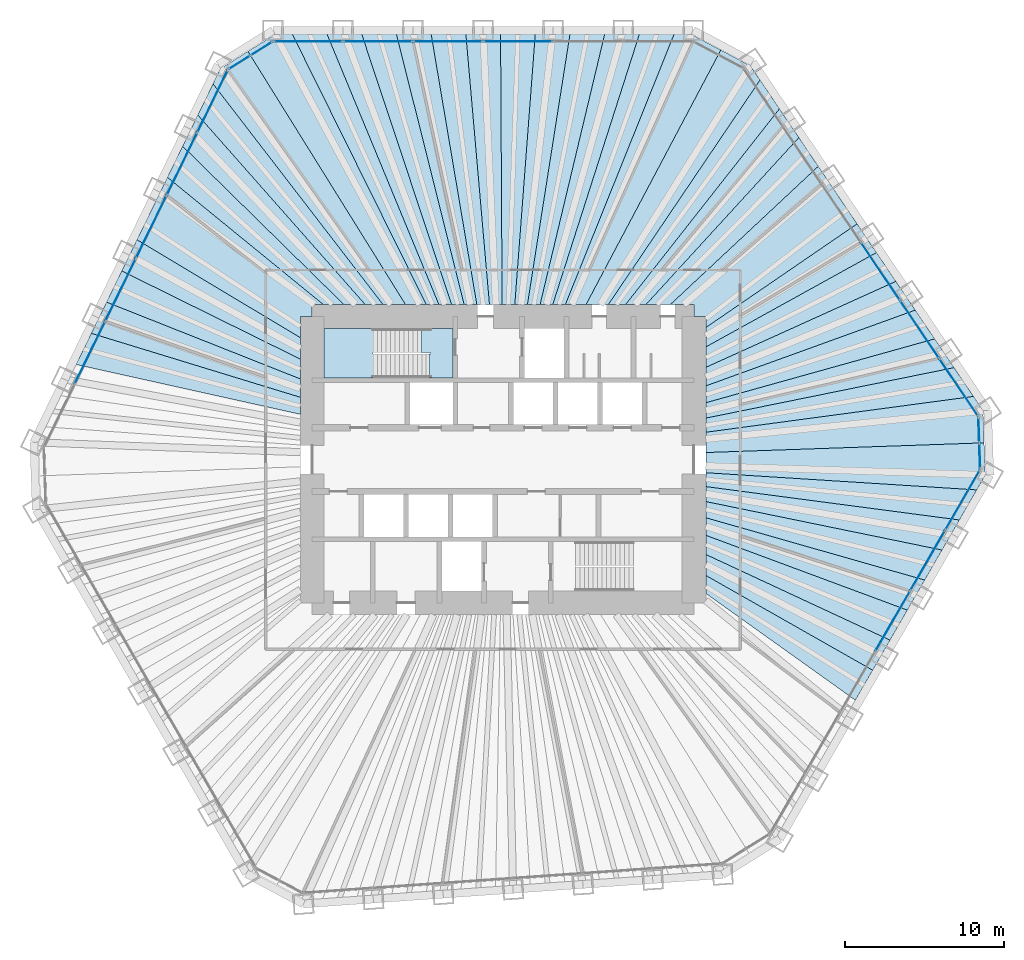
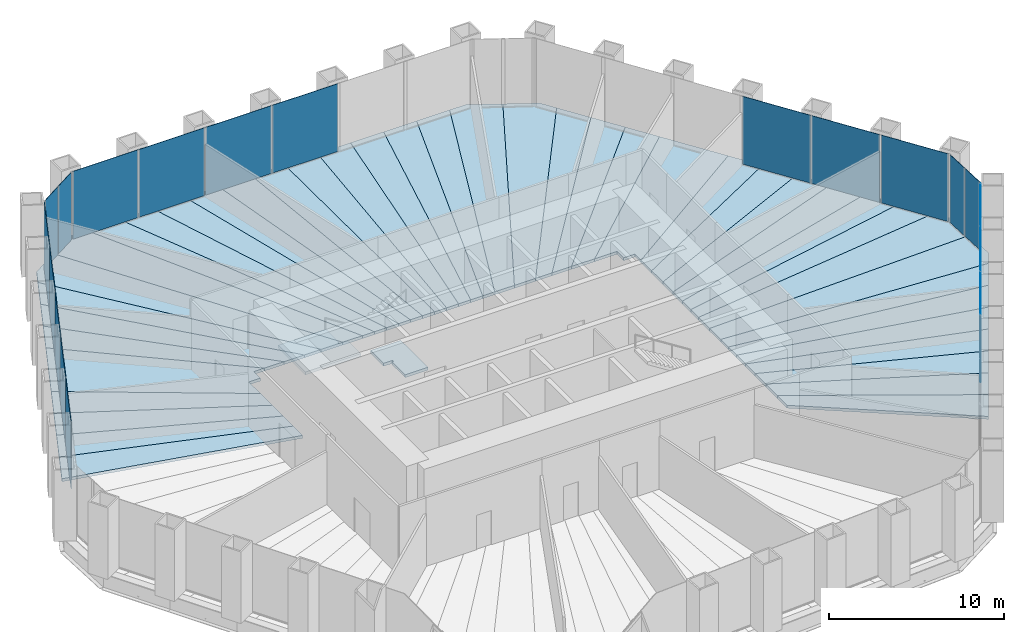
# One storey, part 9 of 14: 44 slabs, 19 plates, 7 elements without a shape of their own.
"""IFC4 building model written with IfcOpenShell, lengths in metres."""

import ifcopenshell
import ifcopenshell.guid

model = None  # the IFC model being written
_history = None  # IfcOwnerHistory: only IFC2X3 demands one
_inside = {}  # id of a spatial element -> (the spatial element, [elements in it])
_under = {}  # id of a project, library or spatial element -> (it, [spatial elements below it])
_declared = {}  # id of a project -> (the project, [libraries it declares])
_typed = {}  # id of a type object -> (the type object, [elements of that type])
_made_of = {}  # id of a material, layer set ... -> (it, [elements and type objects made of it])


def new_model(schema):
    """Start an empty IFC model of exactly this schema.

    Asked for "IFC4X3", IfcOpenShell would pick the latest addendum, in which some entities
    have other attributes; the version numbers below select the first issue.
    IFC2X3 requires an IfcOwnerHistory on every rooted entity: one is made here for all.
    """
    global model, _history
    if schema == "IFC4X3":
        model = ifcopenshell.file(schema_version=(4, 3, 0, 0))
    else:
        model = ifcopenshell.file(schema=schema)
    _inside.clear()
    _under.clear()
    _declared.clear()
    _typed.clear()
    _made_of.clear()
    _history = None
    if model.schema == "IFC2X3":
        org = make("IfcOrganization", Name="unknown")
        user = make(
            "IfcPersonAndOrganization",
            ThePerson=make("IfcPerson", FamilyName="unknown"),
            TheOrganization=org,
        )
        app = make(
            "IfcApplication",
            ApplicationDeveloper=org,
            Version="unknown",
            ApplicationFullName="unknown",
            ApplicationIdentifier="unknown",
        )
        _history = make(
            "IfcOwnerHistory",
            OwningUser=user,
            OwningApplication=app,
            ChangeAction="ADDED",
            CreationDate=0,
        )
    return model


def make(cls, **values):
    """One entity of the class cls with the attributes given. An attribute that is None is left unset."""
    return model.create_entity(
        cls, **{name: value for name, value in values.items() if value is not None}
    )


def rooted(cls, **values):
    """An entity with a GlobalId (a new one), such as an element, a storey or a relation."""
    return make(cls, GlobalId=ifcopenshell.guid.new(), OwnerHistory=_history, **values)


def si_unit(unit_type, name, prefix=None):
    """IfcSIUnit, for example si_unit("LENGTHUNIT", "METRE", prefix="MILLI")."""
    return make("IfcSIUnit", UnitType=unit_type, Prefix=prefix, Name=name)


def assignment(units):
    """IfcUnitAssignment: the units of a project."""
    return None if units is None else make("IfcUnitAssignment", Units=units)


def point(xyz):
    """IfcCartesianPoint."""
    return None if xyz is None else make("IfcCartesianPoint", Coordinates=xyz)


def direction(xyz):
    """IfcDirection."""
    return None if xyz is None else make("IfcDirection", DirectionRatios=xyz)


def frame(location, z_axis=None, x_axis=None):
    """IfcAxis2Placement3D, a coordinate frame: its origin and axes. An axis left out is left unset."""
    return make(
        "IfcAxis2Placement3D",
        Location=point(location),
        Axis=direction(z_axis),
        RefDirection=direction(x_axis),
    )


def frame_2d(location, x_axis=None):
    """IfcAxis2Placement2D, a coordinate frame in the plane: its origin and x axis."""
    return make(
        "IfcAxis2Placement2D", Location=point(location), RefDirection=direction(x_axis)
    )


def origin():
    """The frame at (0, 0, 0) with its axes left unset."""
    return frame((0.0, 0.0, 0.0))


def origin_2d():
    """The frame at (0, 0) in the plane with its x axis left unset."""
    return frame_2d((0.0, 0.0))


def place(relative_to, where):
    """IfcLocalPlacement: puts the frame where relative to a parent placement (None: the world)."""
    return make(
        "IfcLocalPlacement", PlacementRelTo=relative_to, RelativePlacement=where
    )


def context(
    kind, dimensions, precision=None, world=None, true_north=None, identifier=None
):
    """IfcGeometricRepresentationContext, for example the 3D "Model" context."""
    return make(
        "IfcGeometricRepresentationContext",
        ContextIdentifier=identifier,
        ContextType=kind,
        CoordinateSpaceDimension=dimensions,
        Precision=precision,
        WorldCoordinateSystem=world,
        TrueNorth=true_north,
    )


def subcontext(parent, identifier, kind, view, scale=None):
    """IfcGeometricRepresentationSubContext, for example "Body" below "Model"."""
    return make(
        "IfcGeometricRepresentationSubContext",
        ContextIdentifier=identifier,
        ContextType=kind,
        ParentContext=parent,
        TargetScale=scale,
        TargetView=view,
    )


def project(units=None, contexts=None):
    """IfcProject with its units and contexts."""
    return rooted(
        "IfcProject",
        Name="project",
        RepresentationContexts=contexts,
        UnitsInContext=assignment(units),
    )


def spatial(cls, under=None, at=None, **own):
    """A site, building, storey or space (cls), placed at a placement, below another one or the project."""
    s = rooted(cls, ObjectPlacement=at, **own)
    if under is not None:
        _under.setdefault(under.id(), (under, []))[1].append(s)
    return s


def polyline(points):
    """IfcPolyline through the points."""
    return make("IfcPolyline", Points=[point(p) for p in points])


def profile(cls, at=None, kind="AREA", **sizes):
    """A parametric profile (cls). Its sizes go by their IFC names, for example OverallWidth=200.0."""
    return make(cls, ProfileType=kind, Position=at, **sizes)


def rectangle(**sizes):
    """IfcRectangleProfileDef."""
    return profile("IfcRectangleProfileDef", **sizes)


def outline(outer, holes=None, kind="AREA"):
    """IfcArbitraryClosedProfileDef: a profile drawn as a closed curve; with holes, ...WithVoids."""
    if holes is None:
        return make("IfcArbitraryClosedProfileDef", ProfileType=kind, OuterCurve=outer)
    return make(
        "IfcArbitraryProfileDefWithVoids",
        ProfileType=kind,
        OuterCurve=outer,
        InnerCurves=holes,
    )


def extrude(swept, where, along, depth):
    """IfcExtrudedAreaSolid: the profile swept, set in the frame where, extruded along a direction by depth."""
    return make(
        "IfcExtrudedAreaSolid",
        SweptArea=swept,
        Position=where,
        ExtrudedDirection=direction(along),
        Depth=depth,
    )


def shape(context_of_items, identifier, shape_type, items):
    """IfcShapeRepresentation: the items that make up one representation, for example the "Body"."""
    return make(
        "IfcShapeRepresentation",
        ContextOfItems=context_of_items,
        RepresentationIdentifier=identifier,
        RepresentationType=shape_type,
        Items=items,
    )


def material(Name=None, Category=None):
    """IfcMaterial."""
    return make("IfcMaterial", Name=Name, Category=Category)


def layer(
    of_material, thickness, ventilated=None, Name=None, Category=None, Priority=None
):
    """IfcMaterialLayer: one layer of a wall or slab, of a material (None: an air gap)."""
    return make(
        "IfcMaterialLayer",
        Material=of_material,
        LayerThickness=thickness,
        IsVentilated=ventilated,
        Name=Name,
        Category=Category,
        Priority=Priority,
    )


def layer_set(layers, Name=None):
    """IfcMaterialLayerSet."""
    return make("IfcMaterialLayerSet", MaterialLayers=layers, LayerSetName=Name)


def made_of(thing, what):
    """Note that an element or type object is made of a material, layer set ...; save() writes the relation."""
    if what is not None:
        _made_of.setdefault(what.id(), (what, []))[1].append(thing)
    return thing


def type_object(cls, material=None, **own):
    """A type object (cls), such as IfcWallType, which elements share."""
    return made_of(rooted(cls, **own), material)


def element(
    cls,
    number,
    at=None,
    inside=None,
    cuts=None,
    type_object=None,
    material=None,
    context=None,
    identifier="Body",
    shape_type=None,
    held_by="IfcProductDefinitionShape",
    body=None,
    shapes=None,
    **own,
):
    """One element of the class cls, such as IfcWall. Its Tag is "e" and its number.

    at: its placement. inside: the storey or other place that contains it. cuts: it is an
    opening in that element (IfcRelVoidsElement). A single representation is given by context,
    identifier, shape_type and body (its items); several are given by shapes. held_by: the class
    of the entity that holds the representations. save() writes the other relations.
    """
    e = rooted(cls, Tag="e%d" % number, ObjectPlacement=at, **own)
    if body is not None:
        shapes = [shape(context, identifier, shape_type, body)]
    if shapes is not None:
        e.Representation = make(held_by, Representations=shapes)
    if inside is not None:
        _inside.setdefault(inside.id(), (inside, []))[1].append(e)
    if cuts is not None:
        rooted(
            "IfcRelVoidsElement", RelatingBuildingElement=cuts, RelatedOpeningElement=e
        )
    if type_object is not None:
        _typed.setdefault(type_object.id(), (type_object, []))[1].append(e)
    return made_of(e, material)


def aggregate(whole, parts):
    """IfcRelAggregates: a whole, such as a stair, and the parts it consists of."""
    return rooted("IfcRelAggregates", RelatingObject=whole, RelatedObjects=parts)


def save(model, path):
    """Write the relations noted so far, then the file.

    IfcRelAggregates (storeys below a building ...), IfcRelContainedInSpatialStructure (elements
    in a storey), IfcRelDefinesByType, IfcRelAssociatesMaterial and IfcRelDeclares: one each for
    every whole, place, type object, material and project.
    """
    for whole, parts in _under.values():
        aggregate(whole, parts)
    for where, things in _inside.values():
        rooted(
            "IfcRelContainedInSpatialStructure",
            RelatedElements=things,
            RelatingStructure=where,
        )
    for kind, things in _typed.values():
        rooted("IfcRelDefinesByType", RelatedObjects=things, RelatingType=kind)
    for what, things in _made_of.values():
        rooted("IfcRelAssociatesMaterial", RelatedObjects=things, RelatingMaterial=what)
    for by, libraries in _declared.values():
        rooted("IfcRelDeclares", RelatingContext=by, RelatedDefinitions=libraries)
    model.write(path)


model = new_model("IFC4")

# Units and contexts
model_context = context("Model", 3, precision=1e-05, world=origin(), true_north=direction((0.0, 1.0)))
body_context = subcontext(model_context, "Body", "Model", "MODEL_VIEW")
ifc_project = project(units=[si_unit("LENGTHUNIT", "METRE"), si_unit("AREAUNIT", "SQUARE_METRE"), si_unit("VOLUMEUNIT", "CUBIC_METRE"), si_unit("PLANEANGLEUNIT", "RADIAN"), si_unit("MASSUNIT", "GRAM", prefix="KILO")], contexts=[model_context])

# Site, building, storey
site_placement = place(None, origin())
site = spatial("IfcSite", under=ifc_project, at=site_placement, CompositionType="ELEMENT")
building_placement = place(site_placement, origin())
building = spatial("IfcBuilding", under=site, at=building_placement, Name="Qingtian Harvest Tower", CompositionType="ELEMENT")
storey_placement = place(building_placement, frame((0.0, 0.0, 82.0)))
storey = spatial("IfcBuildingStorey", under=building, at=storey_placement, Name="L16", CompositionType="ELEMENT", Elevation=82.0)

# Slabs
ifc_material_1 = material(Name="Concrete fc' 35 MPa", Category="concrete")
ifc_layer_1 = layer(ifc_material_1, 0.199951171875)
ifc_layer_set_1 = layer_set([ifc_layer_1], Name="Composite floor slab FS20 200")
slab_type_1 = type_object("IfcSlabType", Name="Composite floor slab FS20 200", PredefinedType="FLOOR", material=ifc_layer_set_1)
slab_1_placement = place(storey_placement, frame((0.0, 0.0, -0.199951171875)))
element("IfcSlab", 1, at=slab_1_placement, inside=storey, type_object=slab_type_1, Name="Floor slab L16 panel D32", PredefinedType="FLOOR", context=body_context, shape_type="SweptSolid", body=[
    extrude(outline(polyline([(12.75, -7.279052734375), (23.247802734375, -13.243408203125), (22.159423828125, -15.128662109375), (12.75, -8.4091796875), (12.75, -7.279052734375)])), origin(), (0.0, 0.0, 1.0), 0.199951171875),
])
slab_2_placement = place(storey_placement, frame((0.0, 0.0, -0.199951171875)))
element("IfcSlab", 2, at=slab_2_placement, inside=storey, type_object=slab_type_1, Name="Floor slab L16 panel D33", PredefinedType="FLOOR", context=body_context, shape_type="SweptSolid", body=[
    extrude(outline(polyline([(12.75, -5.96142578125), (24.339111328125, -11.353515625), (23.247802734375, -13.243408203125), (12.75, -7.279052734375), (12.75, -5.96142578125)])), origin(), (0.0, 0.0, 1.0), 0.199951171875),
])
slab_3_placement = place(storey_placement, frame((0.0, 0.0, -0.199951171875)))
element("IfcSlab", 3, at=slab_3_placement, inside=storey, type_object=slab_type_1, Name="Floor slab L16 panel D34", PredefinedType="FLOOR", context=body_context, shape_type="SweptSolid", body=[
    extrude(outline(polyline([(12.75, -4.757080078125), (25.43017578125, -9.46337890625), (24.339111328125, -11.353515625), (12.75, -5.96142578125), (12.75, -4.757080078125)])), origin(), (0.0, 0.0, 1.0), 0.199951171875),
])
slab_4_placement = place(storey_placement, frame((0.0, 0.0, -0.199951171875)))
element("IfcSlab", 4, at=slab_4_placement, inside=storey, type_object=slab_type_1, Name="Floor slab L16 panel D35", PredefinedType="FLOOR", context=body_context, shape_type="SweptSolid", body=[
    extrude(outline(polyline([(12.75, -3.651611328125), (26.521484375, -7.573486328125), (25.43017578125, -9.46337890625), (12.75, -4.757080078125), (12.75, -3.651611328125)])), origin(), (0.0, 0.0, 1.0), 0.199951171875),
])
slab_5_placement = place(storey_placement, frame((0.0, 0.0, -0.199951171875)))
element("IfcSlab", 5, at=slab_5_placement, inside=storey, type_object=slab_type_1, Name="Floor slab L16 panel D36", PredefinedType="FLOOR", context=body_context, shape_type="SweptSolid", body=[
    extrude(outline(polyline([(12.75, -2.634033203125), (27.612548828125, -5.68359375), (26.521484375, -7.573486328125), (12.75, -3.651611328125), (12.75, -2.634033203125)])), origin(), (0.0, 0.0, 1.0), 0.199951171875),
])
slab_6_placement = place(storey_placement, frame((0.0, 0.0, -0.199951171875)))
element("IfcSlab", 6, at=slab_6_placement, inside=storey, type_object=slab_type_1, Name="Floor slab L16 panel D37", PredefinedType="FLOOR", context=body_context, shape_type="SweptSolid", body=[
    extrude(outline(polyline([(12.75, -1.693603515625), (28.703857421875, -3.793701171875), (27.612548828125, -5.68359375), (12.75, -2.634033203125), (12.75, -1.693603515625)])), origin(), (0.0, 0.0, 1.0), 0.199951171875),
])
slab_7_placement = place(storey_placement, frame((0.0, 0.0, -0.199951171875)))
element("IfcSlab", 7, at=slab_7_placement, inside=storey, type_object=slab_type_1, Name="Floor slab L16 panel D38", PredefinedType="FLOOR", context=body_context, shape_type="SweptSolid", body=[
    extrude(outline(polyline([(12.75, -0.822265625), (29.794921875, -1.903564453125), (28.703857421875, -3.793701171875), (12.75, -1.693603515625), (12.75, -0.822265625)])), origin(), (0.0, 0.0, 1.0), 0.199951171875),
])
slab_8_placement = place(storey_placement, frame((0.0, 0.0, -0.199951171875)))
element("IfcSlab", 8, at=slab_8_placement, inside=storey, type_object=slab_type_1, Name="Floor slab L16 panel D39", PredefinedType="FLOOR", context=body_context, shape_type="SweptSolid", body=[
    extrude(outline(polyline([(12.75, -0.822265625), (12.75, 0.447265625), (30.2587890625, 1.056640625), (30.32958984375, -0.9775390625), (29.794921875, -1.903564453125), (12.75, -0.822265625)])), origin(), (0.0, 0.0, 1.0), 0.199951171875),
])
slab_9_placement = place(storey_placement, frame((0.0, 0.0, -0.199951171875)))
element("IfcSlab", 9, at=slab_9_placement, inside=storey, type_object=slab_type_1, Name="Floor slab L16 panel D40", PredefinedType="FLOOR", context=body_context, shape_type="SweptSolid", body=[
    extrude(outline(polyline([(12.75, 0.447265625), (12.75, 1.72265625), (29.589599609375, 3.977294921875), (30.187744140625, 3.0908203125), (30.2587890625, 1.056640625), (12.75, 0.447265625)])), origin(), (0.0, 0.0, 1.0), 0.199951171875),
])
slab_10_placement = place(storey_placement, frame((0.0, 0.0, -0.199951171875)))
element("IfcSlab", 10, at=slab_10_placement, inside=storey, type_object=slab_type_1, Name="Floor slab L16 panel D41", PredefinedType="FLOOR", context=body_context, shape_type="SweptSolid", body=[
    extrude(outline(polyline([(12.75, 2.610595703125), (28.369140625, 5.78662109375), (29.589599609375, 3.977294921875), (12.75, 1.72265625), (12.75, 2.610595703125)])), origin(), (0.0, 0.0, 1.0), 0.199951171875),
])
slab_11_placement = place(storey_placement, frame((0.0, 0.0, -0.199951171875)))
element("IfcSlab", 11, at=slab_11_placement, inside=storey, type_object=slab_type_1, Name="Floor slab L16 panel D42", PredefinedType="FLOOR", context=body_context, shape_type="SweptSolid", body=[
    extrude(outline(polyline([(12.75, 3.57861328125), (27.14892578125, 7.595947265625), (28.369140625, 5.78662109375), (12.75, 2.610595703125), (12.75, 3.57861328125)])), origin(), (0.0, 0.0, 1.0), 0.199951171875),
])
slab_12_placement = place(storey_placement, frame((0.0, 0.0, -0.199951171875)))
element("IfcSlab", 12, at=slab_12_placement, inside=storey, type_object=slab_type_1, Name="Floor slab L16 panel D43", PredefinedType="FLOOR", context=body_context, shape_type="SweptSolid", body=[
    extrude(outline(polyline([(12.75, 4.6376953125), (25.928466796875, 9.405029296875), (27.14892578125, 7.595947265625), (12.75, 3.57861328125), (12.75, 4.6376953125)])), origin(), (0.0, 0.0, 1.0), 0.199951171875),
])
slab_13_placement = place(storey_placement, frame((0.0, 0.0, -0.199951171875)))
element("IfcSlab", 13, at=slab_13_placement, inside=storey, type_object=slab_type_1, Name="Floor slab L16 panel D44", PredefinedType="FLOOR", context=body_context, shape_type="SweptSolid", body=[
    extrude(outline(polyline([(12.75, 5.8017578125), (24.708251953125, 11.21435546875), (25.928466796875, 9.405029296875), (12.75, 4.6376953125), (12.75, 5.8017578125)])), origin(), (0.0, 0.0, 1.0), 0.199951171875),
])
slab_14_placement = place(storey_placement, frame((0.0, 0.0, -0.199951171875)))
element("IfcSlab", 14, at=slab_14_placement, inside=storey, type_object=slab_type_1, Name="Floor slab L16 panel D45", PredefinedType="FLOOR", context=body_context, shape_type="SweptSolid", body=[
    extrude(outline(polyline([(12.75, 7.087158203125), (23.48779296875, 13.023681640625), (24.708251953125, 11.21435546875), (12.75, 5.8017578125), (12.75, 7.087158203125)])), origin(), (0.0, 0.0, 1.0), 0.199951171875),
])
slab_15_placement = place(storey_placement, frame((0.0, 0.0, -0.199951171875)))
element("IfcSlab", 15, at=slab_15_placement, inside=storey, type_object=slab_type_1, Name="Floor slab L16 panel D46", PredefinedType="FLOOR", context=body_context, shape_type="SweptSolid", body=[
    extrude(outline(polyline([(12.75, 8.30615234375), (22.26953125, 14.829833984375), (23.48779296875, 13.023681640625), (12.75, 7.087158203125), (12.75, 8.30615234375)])), origin(), (0.0, 0.0, 1.0), 0.199951171875),
])
slab_16_placement = place(storey_placement, frame((0.0, 0.0, -0.199951171875)))
element("IfcSlab", 16, at=slab_16_placement, inside=storey, type_object=slab_type_1, Name="Floor slab L16 panel D48", PredefinedType="FLOOR", context=body_context, shape_type="SweptSolid", body=[
    extrude(outline(polyline([(19.8271484375, 18.45068359375), (22.26953125, 14.829833984375), (12.75, 8.30615234375), (12.75, 9.0), (12.0, 9.0), (12.0, 9.75), (10.51806640625, 9.75), (19.8271484375, 18.45068359375)])), origin(), (0.0, 0.0, 1.0), 0.199951171875),
])
slab_17_placement = place(storey_placement, frame((0.0, 0.0, -0.199951171875)))
element("IfcSlab", 17, at=slab_17_placement, inside=storey, type_object=slab_type_1, Name="Floor slab L16 panel D49", PredefinedType="FLOOR", context=body_context, shape_type="SweptSolid", body=[
    extrude(outline(polyline([(8.985107421875, 9.75), (18.60693359375, 20.260009765625), (19.8271484375, 18.45068359375), (10.51806640625, 9.75), (8.985107421875, 9.75)])), origin(), (0.0, 0.0, 1.0), 0.199951171875),
])
slab_18_placement = place(storey_placement, frame((0.0, 0.0, -0.199951171875)))
element("IfcSlab", 18, at=slab_18_placement, inside=storey, type_object=slab_type_1, Name="Floor slab L16 panel D50", PredefinedType="FLOOR", context=body_context, shape_type="SweptSolid", body=[
    extrude(outline(polyline([(7.705078125, 9.75), (17.386474609375, 22.0693359375), (18.60693359375, 20.260009765625), (8.985107421875, 9.75), (7.705078125, 9.75)])), origin(), (0.0, 0.0, 1.0), 0.199951171875),
])
slab_19_placement = place(storey_placement, frame((0.0, 0.0, -0.199951171875)))
element("IfcSlab", 19, at=slab_19_placement, inside=storey, type_object=slab_type_1, Name="Floor slab L16 panel D51", PredefinedType="FLOOR", context=body_context, shape_type="SweptSolid", body=[
    extrude(outline(polyline([(6.61962890625, 9.75), (16.166015625, 23.87841796875), (17.386474609375, 22.0693359375), (7.705078125, 9.75), (6.61962890625, 9.75)])), origin(), (0.0, 0.0, 1.0), 0.199951171875),
])
slab_20_placement = place(storey_placement, frame((0.0, 0.0, -0.199951171875)))
element("IfcSlab", 20, at=slab_20_placement, inside=storey, type_object=slab_type_1, Name="Floor slab L16 panel D52", PredefinedType="FLOOR", context=body_context, shape_type="SweptSolid", body=[
    extrude(outline(polyline([(6.61962890625, 9.75), (5.21875, 9.75), (13.697265625, 25.760009765625), (15.56787109375, 24.765380859375), (16.166015625, 23.87841796875), (6.61962890625, 9.75)])), origin(), (0.0, 0.0, 1.0), 0.199951171875),
])
slab_21_placement = place(storey_placement, frame((0.0, 0.0, -0.199951171875)))
element("IfcSlab", 21, at=slab_21_placement, inside=storey, type_object=slab_type_1, Name="Floor slab L16 panel D53", PredefinedType="FLOOR", context=body_context, shape_type="SweptSolid", body=[
    extrude(outline(polyline([(3.919921875, 9.75), (10.756591796875, 26.7548828125), (11.825927734375, 26.7548828125), (13.697265625, 25.760009765625), (5.21875, 9.75), (3.919921875, 9.75)])), origin(), (0.0, 0.0, 1.0), 0.199951171875),
])
slab_22_placement = place(storey_placement, frame((0.0, 0.0, -0.199951171875)))
element("IfcSlab", 22, at=slab_22_placement, inside=storey, type_object=slab_type_1, Name="Floor slab L16 panel D54", PredefinedType="FLOOR", context=body_context, shape_type="SweptSolid", body=[
    extrude(outline(polyline([(3.12451171875, 9.75), (8.57421875, 26.7548828125), (10.756591796875, 26.7548828125), (3.919921875, 9.75), (3.12451171875, 9.75)])), origin(), (0.0, 0.0, 1.0), 0.199951171875),
])
slab_23_placement = place(storey_placement, frame((0.0, 0.0, -0.199951171875)))
element("IfcSlab", 23, at=slab_23_placement, inside=storey, type_object=slab_type_1, Name="Floor slab L16 panel D55", PredefinedType="FLOOR", context=body_context, shape_type="SweptSolid", body=[
    extrude(outline(polyline([(2.329345703125, 9.75), (6.391845703125, 26.7548828125), (8.57421875, 26.7548828125), (3.12451171875, 9.75), (2.329345703125, 9.75)])), origin(), (0.0, 0.0, 1.0), 0.199951171875),
])
slab_24_placement = place(storey_placement, frame((0.0, 0.0, -0.199951171875)))
element("IfcSlab", 24, at=slab_24_placement, inside=storey, type_object=slab_type_1, Name="Floor slab L16 panel D56", PredefinedType="FLOOR", context=body_context, shape_type="SweptSolid", body=[
    extrude(outline(polyline([(1.533935546875, 9.75), (4.20947265625, 26.7548828125), (6.391845703125, 26.7548828125), (2.329345703125, 9.75), (1.533935546875, 9.75)])), origin(), (0.0, 0.0, 1.0), 0.199951171875),
])
slab_25_placement = place(storey_placement, frame((0.0, 0.0, -0.199951171875)))
element("IfcSlab", 25, at=slab_25_placement, inside=storey, type_object=slab_type_1, Name="Floor slab L16 panel D57", PredefinedType="FLOOR", context=body_context, shape_type="SweptSolid", body=[
    extrude(outline(polyline([(0.73876953125, 9.75), (2.02734375, 26.7548828125), (4.20947265625, 26.7548828125), (1.533935546875, 9.75), (0.73876953125, 9.75)])), origin(), (0.0, 0.0, 1.0), 0.199951171875),
])
slab_26_placement = place(storey_placement, frame((0.0, 0.0, -0.199951171875)))
element("IfcSlab", 26, at=slab_26_placement, inside=storey, type_object=slab_type_1, Name="Floor slab L16 panel D58", PredefinedType="FLOOR", context=body_context, shape_type="SweptSolid", body=[
    extrude(outline(polyline([(-0.056396484375, 9.75), (-0.155029296875, 26.7548828125), (2.02734375, 26.7548828125), (0.73876953125, 9.75), (-0.056396484375, 9.75)])), origin(), (0.0, 0.0, 1.0), 0.199951171875),
])
slab_27_placement = place(storey_placement, frame((0.0, 0.0, -0.199951171875)))
element("IfcSlab", 27, at=slab_27_placement, inside=storey, type_object=slab_type_1, Name="Floor slab L16 panel D59", PredefinedType="FLOOR", context=body_context, shape_type="SweptSolid", body=[
    extrude(outline(polyline([(-0.851806640625, 9.75), (-2.33740234375, 26.7548828125), (-0.155029296875, 26.7548828125), (-0.056396484375, 9.75), (-0.851806640625, 9.75)])), origin(), (0.0, 0.0, 1.0), 0.199951171875),
])
slab_28_placement = place(storey_placement, frame((0.0, 0.0, -0.199951171875)))
element("IfcSlab", 28, at=slab_28_placement, inside=storey, type_object=slab_type_1, Name="Floor slab L16 panel D60", PredefinedType="FLOOR", context=body_context, shape_type="SweptSolid", body=[
    extrude(outline(polyline([(-1.64697265625, 9.75), (-4.519775390625, 26.7548828125), (-2.33740234375, 26.7548828125), (-0.851806640625, 9.75), (-1.64697265625, 9.75)])), origin(), (0.0, 0.0, 1.0), 0.199951171875),
])
slab_29_placement = place(storey_placement, frame((0.0, 0.0, -0.199951171875)))
element("IfcSlab", 29, at=slab_29_placement, inside=storey, type_object=slab_type_1, Name="Floor slab L16 panel D61", PredefinedType="FLOOR", context=body_context, shape_type="SweptSolid", body=[
    extrude(outline(polyline([(-2.4423828125, 9.75), (-6.7021484375, 26.7548828125), (-4.519775390625, 26.7548828125), (-1.64697265625, 9.75), (-2.4423828125, 9.75)])), origin(), (0.0, 0.0, 1.0), 0.199951171875),
])
slab_30_placement = place(storey_placement, frame((0.0, 0.0, -0.199951171875)))
element("IfcSlab", 30, at=slab_30_placement, inside=storey, type_object=slab_type_1, Name="Floor slab L16 panel D62", PredefinedType="FLOOR", context=body_context, shape_type="SweptSolid", body=[
    extrude(outline(polyline([(-3.237548828125, 9.75), (-8.88427734375, 26.7548828125), (-6.7021484375, 26.7548828125), (-2.4423828125, 9.75), (-3.237548828125, 9.75)])), origin(), (0.0, 0.0, 1.0), 0.199951171875),
])
slab_31_placement = place(storey_placement, frame((0.0, 0.0, -0.199951171875)))
element("IfcSlab", 31, at=slab_31_placement, inside=storey, type_object=slab_type_1, Name="Floor slab L16 panel D63", PredefinedType="FLOOR", context=body_context, shape_type="SweptSolid", body=[
    extrude(outline(polyline([(-4.032958984375, 9.75), (-11.066650390625, 26.7548828125), (-8.88427734375, 26.7548828125), (-3.237548828125, 9.75), (-4.032958984375, 9.75)])), origin(), (0.0, 0.0, 1.0), 0.199951171875),
])
slab_32_placement = place(storey_placement, frame((0.0, 0.0, -0.199951171875)))
element("IfcSlab", 32, at=slab_32_placement, inside=storey, type_object=slab_type_1, Name="Floor slab L16 panel D64", PredefinedType="FLOOR", context=body_context, shape_type="SweptSolid", body=[
    extrude(outline(polyline([(-4.828125, 9.75), (-13.2490234375, 26.7548828125), (-11.066650390625, 26.7548828125), (-4.032958984375, 9.75), (-4.828125, 9.75)])), origin(), (0.0, 0.0, 1.0), 0.199951171875),
])
slab_33_placement = place(storey_placement, frame((0.0, 0.0, -0.199951171875)))
element("IfcSlab", 33, at=slab_33_placement, inside=storey, type_object=slab_type_1, Name="Floor slab L16 panel D65", PredefinedType="FLOOR", context=body_context, shape_type="SweptSolid", body=[
    extrude(outline(polyline([(-4.828125, 9.75), (-6.130126953125, 9.75), (-16.044921875, 25.67626953125), (-14.318359375, 26.7548828125), (-13.2490234375, 26.7548828125), (-4.828125, 9.75)])), origin(), (0.0, 0.0, 1.0), 0.199951171875),
])
slab_34_placement = place(storey_placement, frame((0.0, 0.0, -0.199951171875)))
element("IfcSlab", 34, at=slab_34_placement, inside=storey, type_object=slab_type_1, Name="Floor slab L16 panel D66", PredefinedType="FLOOR", context=body_context, shape_type="SweptSolid", body=[
    extrude(outline(polyline([(-6.130126953125, 9.75), (-7.544677734375, 9.75), (-18.239501953125, 23.636474609375), (-17.7705078125, 24.597900390625), (-16.044921875, 25.67626953125), (-6.130126953125, 9.75)])), origin(), (0.0, 0.0, 1.0), 0.199951171875),
])
slab_35_placement = place(storey_placement, frame((0.0, 0.0, -0.199951171875)))
element("IfcSlab", 35, at=slab_35_placement, inside=storey, type_object=slab_type_1, Name="Floor slab L16 panel D67", PredefinedType="FLOOR", context=body_context, shape_type="SweptSolid", body=[
    extrude(outline(polyline([(-8.662109375, 9.75), (-19.196044921875, 21.675048828125), (-18.239501953125, 23.636474609375), (-7.544677734375, 9.75), (-8.662109375, 9.75)])), origin(), (0.0, 0.0, 1.0), 0.199951171875),
])
slab_36_placement = place(storey_placement, frame((0.0, 0.0, -0.199951171875)))
element("IfcSlab", 36, at=slab_36_placement, inside=storey, type_object=slab_type_1, Name="Floor slab L16 panel D68", PredefinedType="FLOOR", context=body_context, shape_type="SweptSolid", body=[
    extrude(outline(polyline([(-10.00341796875, 9.75), (-20.15283203125, 19.71337890625), (-19.196044921875, 21.675048828125), (-8.662109375, 9.75), (-10.00341796875, 9.75)])), origin(), (0.0, 0.0, 1.0), 0.199951171875),
])
slab_37_placement = place(storey_placement, frame((0.0, 0.0, -0.199951171875)))
element("IfcSlab", 37, at=slab_37_placement, inside=storey, type_object=slab_type_1, Name="Floor slab L16 panel D69", PredefinedType="FLOOR", context=body_context, shape_type="SweptSolid", body=[
    extrude(outline(polyline([(-11.2939453125, 9.75), (-21.107666015625, 17.755859375), (-20.15283203125, 19.71337890625), (-10.00341796875, 9.75), (-11.2939453125, 9.75)])), origin(), (0.0, 0.0, 1.0), 0.199951171875),
])
slab_38_placement = place(storey_placement, frame((0.0, 0.0, -0.199951171875)))
element("IfcSlab", 38, at=slab_38_placement, inside=storey, type_object=slab_type_1, Name="Floor slab L16 panel D70", PredefinedType="FLOOR", context=body_context, shape_type="SweptSolid", body=[
    extrude(outline(polyline([(-12.0, 9.0), (-12.75, 9.0), (-12.75, 7.67333984375), (-23.0224609375, 13.82958984375), (-21.107666015625, 17.755859375), (-11.2939453125, 9.75), (-12.0, 9.75), (-12.0, 9.0)])), origin(), (0.0, 0.0, 1.0), 0.199951171875),
])
slab_39_placement = place(storey_placement, frame((0.0, 0.0, -0.199951171875)))
element("IfcSlab", 39, at=slab_39_placement, inside=storey, type_object=slab_type_1, Name="Floor slab L16 panel D72", PredefinedType="FLOOR", context=body_context, shape_type="SweptSolid", body=[
    extrude(outline(polyline([(-12.75, 6.3232421875), (-23.979248046875, 11.8681640625), (-23.0224609375, 13.82958984375), (-12.75, 7.67333984375), (-12.75, 6.3232421875)])), origin(), (0.0, 0.0, 1.0), 0.199951171875),
])
slab_40_placement = place(storey_placement, frame((0.0, 0.0, -0.199951171875)))
element("IfcSlab", 40, at=slab_40_placement, inside=storey, type_object=slab_type_1, Name="Floor slab L16 panel D73", PredefinedType="FLOOR", context=body_context, shape_type="SweptSolid", body=[
    extrude(outline(polyline([(-12.75, 5.076904296875), (-24.935791015625, 9.90673828125), (-23.979248046875, 11.8681640625), (-12.75, 6.3232421875), (-12.75, 5.076904296875)])), origin(), (0.0, 0.0, 1.0), 0.199951171875),
])
slab_41_placement = place(storey_placement, frame((0.0, 0.0, -0.199951171875)))
element("IfcSlab", 41, at=slab_41_placement, inside=storey, type_object=slab_type_1, Name="Floor slab L16 panel D74", PredefinedType="FLOOR", context=body_context, shape_type="SweptSolid", body=[
    extrude(outline(polyline([(-12.75, 3.922607421875), (-25.892578125, 7.9453125), (-24.935791015625, 9.90673828125), (-12.75, 5.076904296875), (-12.75, 3.922607421875)])), origin(), (0.0, 0.0, 1.0), 0.199951171875),
])
slab_42_placement = place(storey_placement, frame((0.0, 0.0, -0.199951171875)))
element("IfcSlab", 42, at=slab_42_placement, inside=storey, type_object=slab_type_1, Name="Floor slab L16 panel D75", PredefinedType="FLOOR", context=body_context, shape_type="SweptSolid", body=[
    extrude(outline(polyline([(-12.75, 2.8505859375), (-26.84912109375, 5.98388671875), (-25.892578125, 7.9453125), (-12.75, 3.922607421875), (-12.75, 2.8505859375)])), origin(), (0.0, 0.0, 1.0), 0.199951171875),
])

# Curtain wall, plates
ifc_material_2 = material(Name="Bronze-anodised aluminium curtain wall", Category="aluminium")
curtain_wall_type = type_object("IfcCurtainWallType", Name="Curtain wall CW2 farm reception", PredefinedType="USERDEFINED", material=ifc_material_2)
curtain_wall_1_placement = place(storey_placement, origin())
curtain_wall_1 = element("IfcCurtainWall", 43, at=curtain_wall_1_placement, inside=storey, type_object=curtain_wall_type, Name="Curtain wall CW2 L16 N0-5", ObjectType="RECESSED CURTAIN WALL", PredefinedType="USERDEFINED")
ifc_material_3 = material(Name="Bronze-tinted laminated insulating glass", Category="glass")
ifc_layer_2 = layer(ifc_material_3, 0.030029296875)
ifc_layer_set_2 = layer_set([ifc_layer_2], Name="Glazed panel CWP tinted IGU")
plate_type = type_object("IfcPlateType", Name="Glazed panel CWP tinted IGU", PredefinedType="CURTAIN_PANEL", material=ifc_layer_set_2)
plate_1_placement = place(storey_placement, frame((-12.2529296875, 26.300048828125, 0.06494140625), z_axis=(0.0, 0.0, 1.0), x_axis=(1.0, 0.0, 0.0)))
plate_1 = element("IfcPlate", 44, at=plate_1_placement, type_object=plate_type, Name="CW2 panel 1.1", PredefinedType="CURTAIN_PANEL", context=body_context, shape_type="SweptSolid", body=[
    extrude(rectangle(XDim=4.30712890625, YDim=0.030029296875, at=origin_2d()), origin(), (0.0, 0.0, 1.0), 4.735107421875),
])
plate_2_placement = place(storey_placement, frame((-7.864501953125, 26.300048828125, 0.06494140625), z_axis=(0.0, 0.0, 1.0), x_axis=(1.0, 0.0, 0.0)))
plate_2 = element("IfcPlate", 45, at=plate_2_placement, type_object=plate_type, Name="CW2 panel 2.1", PredefinedType="CURTAIN_PANEL", context=body_context, shape_type="SweptSolid", body=[
    extrude(rectangle(XDim=4.339599609375, YDim=0.030029296875, at=origin_2d()), origin(), (0.0, 0.0, 1.0), 4.735107421875),
])
plate_3_placement = place(storey_placement, frame((-3.4599609375, 26.300048828125, 0.06494140625), z_axis=(0.0, 0.0, 1.0), x_axis=(1.0, 0.0, 0.0)))
plate_3 = element("IfcPlate", 46, at=plate_3_placement, type_object=plate_type, Name="CW2 panel 3.1", PredefinedType="CURTAIN_PANEL", context=body_context, shape_type="SweptSolid", body=[
    extrude(rectangle(XDim=4.339599609375, YDim=0.030029296875, at=origin_2d()), origin(), (0.0, 0.0, 1.0), 4.735107421875),
])
plate_4_placement = place(storey_placement, frame((0.944580078125, 26.300048828125, 0.06494140625), z_axis=(0.0, 0.0, 1.0), x_axis=(1.0, 0.0, 0.0)))
plate_4 = element("IfcPlate", 47, at=plate_4_placement, type_object=plate_type, Name="CW2 panel 4.1", PredefinedType="CURTAIN_PANEL", context=body_context, shape_type="SweptSolid", body=[
    extrude(rectangle(XDim=4.339599609375, YDim=0.030029296875, at=origin_2d()), origin(), (0.0, 0.0, 1.0), 4.735107421875),
])
aggregate(curtain_wall_1, [plate_1, plate_2, plate_3, plate_4])

curtain_wall_2_placement = place(storey_placement, origin())
curtain_wall_2 = element("IfcCurtainWall", 48, at=curtain_wall_2_placement, inside=storey, type_object=curtain_wall_type, Name="Curtain wall CW2 L16 NE0-5", ObjectType="RECESSED CURTAIN WALL", PredefinedType="USERDEFINED")
plate_5_placement = place(storey_placement, frame((23.738525390625, 11.83837890625, 0.06494140625), z_axis=(0.0, 0.0, 1.0), x_axis=(0.559192903471, -0.829037572555, 0.0)))
plate_5 = element("IfcPlate", 49, at=plate_5_placement, type_object=plate_type, Name="CW2 panel 4.1", PredefinedType="CURTAIN_PANEL", context=body_context, shape_type="SweptSolid", body=[
    extrude(rectangle(XDim=4.339599609375, YDim=0.030029296875, at=origin_2d()), origin(), (0.0, 0.0, 1.0), 4.735107421875),
])
plate_6_placement = place(storey_placement, frame((26.201416015625, 8.186767578125, 0.06494140625), z_axis=(0.0, 0.0, 1.0), x_axis=(0.559192903471, -0.829037572555, 0.0)))
plate_6 = element("IfcPlate", 50, at=plate_6_placement, type_object=plate_type, Name="CW2 panel 5.1", PredefinedType="CURTAIN_PANEL", context=body_context, shape_type="SweptSolid", body=[
    extrude(rectangle(XDim=4.339599609375, YDim=0.030029296875, at=origin_2d()), origin(), (0.0, 0.0, 1.0), 4.735107421875),
])
plate_7_placement = place(storey_placement, frame((28.655517578125, 4.548583984375, 0.06494140625), z_axis=(0.0, 0.0, 1.0), x_axis=(0.559192903471, -0.829037572555, 0.0)))
plate_7 = element("IfcPlate", 51, at=plate_7_placement, type_object=plate_type, Name="CW2 panel 6.1", PredefinedType="CURTAIN_PANEL", context=body_context, shape_type="SweptSolid", body=[
    extrude(rectangle(XDim=4.30712890625, YDim=0.030029296875, at=origin_2d()), origin(), (0.0, 0.0, 1.0), 4.735107421875),
])
aggregate(curtain_wall_2, [plate_5, plate_6, plate_7])

curtain_wall_3_placement = place(storey_placement, origin())
curtain_wall_3 = element("IfcCurtainWall", 52, at=curtain_wall_3_placement, inside=storey, type_object=curtain_wall_type, Name="Curtain wall CW2 L16 NEC", ObjectType="RECESSED CURTAIN WALL", PredefinedType="USERDEFINED")
plate_8_placement = place(storey_placement, frame((29.925537109375, 1.861572265625, 0.06494140625), z_axis=(0.0, 0.0, 1.0), x_axis=(0.034899496703, -0.999390827019, 0.0)))
plate_8 = element("IfcPlate", 53, at=plate_8_placement, type_object=plate_type, Name="CW2 panel 1.1", PredefinedType="CURTAIN_PANEL", context=body_context, shape_type="SweptSolid", body=[
    extrude(rectangle(XDim=1.56689453125, YDim=0.030029296875, at=origin_2d()), origin(), (0.0, 0.0, 1.0), 4.735107421875),
])
plate_9_placement = place(storey_placement, frame((29.982666015625, 0.23046875, 0.06494140625), z_axis=(0.0, 0.0, 1.0), x_axis=(0.034899496703, -0.999390827019, 0.0)))
plate_9 = element("IfcPlate", 54, at=plate_9_placement, type_object=plate_type, Name="CW2 panel 2.1", PredefinedType="CURTAIN_PANEL", context=body_context, shape_type="SweptSolid", body=[
    extrude(rectangle(XDim=1.56689453125, YDim=0.030029296875, at=origin_2d()), origin(), (0.0, 0.0, 1.0), 4.735107421875),
])
aggregate(curtain_wall_3, [plate_8, plate_9])

curtain_wall_4_placement = place(storey_placement, origin())
curtain_wall_4 = element("IfcCurtainWall", 55, at=curtain_wall_4_placement, inside=storey, type_object=curtain_wall_type, Name="Curtain wall CW2 L16 SE0-5", ObjectType="RECESSED CURTAIN WALL", PredefinedType="USERDEFINED")
plate_10_placement = place(storey_placement, frame((28.90283203125, -2.53857421875, 0.06494140625), z_axis=(0.0, 0.0, 1.0), x_axis=(-0.5, -0.866025403784, 0.0)))
plate_10 = element("IfcPlate", 56, at=plate_10_placement, type_object=plate_type, Name="CW2 panel 1.1", PredefinedType="CURTAIN_PANEL", context=body_context, shape_type="SweptSolid", body=[
    extrude(rectangle(XDim=4.30712890625, YDim=0.030029296875, at=origin_2d()), origin(), (0.0, 0.0, 1.0), 4.735107421875),
])
plate_11_placement = place(storey_placement, frame((26.708740234375, -6.339111328125, 0.06494140625), z_axis=(0.0, 0.0, 1.0), x_axis=(-0.5, -0.866025403784, 0.0)))
plate_11 = element("IfcPlate", 57, at=plate_11_placement, type_object=plate_type, Name="CW2 panel 2.1", PredefinedType="CURTAIN_PANEL", context=body_context, shape_type="SweptSolid", body=[
    extrude(rectangle(XDim=4.339599609375, YDim=0.030029296875, at=origin_2d()), origin(), (0.0, 0.0, 1.0), 4.735107421875),
])
plate_12_placement = place(storey_placement, frame((24.50634765625, -10.153564453125, 0.06494140625), z_axis=(0.0, 0.0, 1.0), x_axis=(-0.5, -0.866025403784, 0.0)))
plate_12 = element("IfcPlate", 58, at=plate_12_placement, type_object=plate_type, Name="CW2 panel 3.1", PredefinedType="CURTAIN_PANEL", context=body_context, shape_type="SweptSolid", body=[
    extrude(rectangle(XDim=4.339599609375, YDim=0.030029296875, at=origin_2d()), origin(), (0.0, 0.0, 1.0), 4.735107421875),
])
aggregate(curtain_wall_4, [plate_10, plate_11, plate_12])

curtain_wall_5_placement = place(storey_placement, origin())
curtain_wall_5 = element("IfcCurtainWall", 59, at=curtain_wall_5_placement, inside=storey, type_object=curtain_wall_type, Name="Curtain wall CW2 L16 NW0-5", ObjectType="RECESSED CURTAIN WALL", PredefinedType="USERDEFINED")
plate_13_placement = place(storey_placement, frame((-25.983154296875, 6.72119140625, 0.06494140625), z_axis=(0.0, 0.0, 1.0), x_axis=(0.438371146789, 0.898794046299, 0.0)))
plate_13 = element("IfcPlate", 60, at=plate_13_placement, type_object=plate_type, Name="CW2 panel 2.1", PredefinedType="CURTAIN_PANEL", context=body_context, shape_type="SweptSolid", body=[
    extrude(rectangle(XDim=4.339599609375, YDim=0.030029296875, at=origin_2d()), origin(), (0.0, 0.0, 1.0), 4.735107421875),
])
plate_14_placement = place(storey_placement, frame((-24.052490234375, 10.68017578125, 0.06494140625), z_axis=(0.0, 0.0, 1.0), x_axis=(0.438371146789, 0.898794046299, 0.0)))
plate_14 = element("IfcPlate", 61, at=plate_14_placement, type_object=plate_type, Name="CW2 panel 3.1", PredefinedType="CURTAIN_PANEL", context=body_context, shape_type="SweptSolid", body=[
    extrude(rectangle(XDim=4.339599609375, YDim=0.030029296875, at=origin_2d()), origin(), (0.0, 0.0, 1.0), 4.735107421875),
])
plate_15_placement = place(storey_placement, frame((-22.12158203125, 14.638916015625, 0.06494140625), z_axis=(0.0, 0.0, 1.0), x_axis=(0.438371146789, 0.898794046299, 0.0)))
plate_15 = element("IfcPlate", 62, at=plate_15_placement, type_object=plate_type, Name="CW2 panel 4.1", PredefinedType="CURTAIN_PANEL", context=body_context, shape_type="SweptSolid", body=[
    extrude(rectangle(XDim=4.339599609375, YDim=0.030029296875, at=origin_2d()), origin(), (0.0, 0.0, 1.0), 4.735107421875),
])
plate_16_placement = place(storey_placement, frame((-20.190673828125, 18.597900390625, 0.06494140625), z_axis=(0.0, 0.0, 1.0), x_axis=(0.438371146789, 0.898794046299, 0.0)))
plate_16 = element("IfcPlate", 63, at=plate_16_placement, type_object=plate_type, Name="CW2 panel 5.1", PredefinedType="CURTAIN_PANEL", context=body_context, shape_type="SweptSolid", body=[
    extrude(rectangle(XDim=4.339599609375, YDim=0.030029296875, at=origin_2d()), origin(), (0.0, 0.0, 1.0), 4.735107421875),
])
plate_17_placement = place(storey_placement, frame((-18.266845703125, 22.5419921875, 0.06494140625), z_axis=(0.0, 0.0, 1.0), x_axis=(0.438371146789, 0.898794046299, 0.0)))
plate_17 = element("IfcPlate", 64, at=plate_17_placement, type_object=plate_type, Name="CW2 panel 6.1", PredefinedType="CURTAIN_PANEL", context=body_context, shape_type="SweptSolid", body=[
    extrude(rectangle(XDim=4.30712890625, YDim=0.030029296875, at=origin_2d()), origin(), (0.0, 0.0, 1.0), 4.735107421875),
])
aggregate(curtain_wall_5, [plate_13, plate_14, plate_15, plate_16, plate_17])

curtain_wall_6_placement = place(storey_placement, origin())
curtain_wall_6 = element("IfcCurtainWall", 65, at=curtain_wall_6_placement, inside=storey, type_object=curtain_wall_type, Name="Curtain wall CW2 L16 NWC", ObjectType="RECESSED CURTAIN WALL", PredefinedType="USERDEFINED")
plate_18_placement = place(storey_placement, frame((-16.574951171875, 24.985595703125, 0.06494140625), z_axis=(0.0, 0.0, 1.0), x_axis=(0.848048096156, 0.529919264233, 0.0)))
plate_18 = element("IfcPlate", 66, at=plate_18_placement, type_object=plate_type, Name="CW2 panel 1.1", PredefinedType="CURTAIN_PANEL", context=body_context, shape_type="SweptSolid", body=[
    extrude(rectangle(XDim=1.56689453125, YDim=0.030029296875, at=origin_2d()), origin(), (0.0, 0.0, 1.0), 4.735107421875),
])
plate_19_placement = place(storey_placement, frame((-15.19091796875, 25.850341796875, 0.06494140625), z_axis=(0.0, 0.0, 1.0), x_axis=(0.848048096156, 0.529919264233, 0.0)))
plate_19 = element("IfcPlate", 67, at=plate_19_placement, type_object=plate_type, Name="CW2 panel 2.1", PredefinedType="CURTAIN_PANEL", context=body_context, shape_type="SweptSolid", body=[
    extrude(rectangle(XDim=1.56689453125, YDim=0.030029296875, at=origin_2d()), origin(), (0.0, 0.0, 1.0), 4.735107421875),
])
aggregate(curtain_wall_6, [plate_18, plate_19])

# Stair, slabs
ifc_material_4 = material(Name="Concrete fc' 35 MPa", Category="concrete")
stair_type = type_object("IfcStairType", Name="Special stair ST2 5000", PredefinedType="HALF_TURN_STAIR", material=ifc_material_4)
stair_placement = place(storey_placement, origin())
stair = element("IfcStair", 68, at=stair_placement, inside=storey, type_object=stair_type, Name="Special stair S1 L16", PredefinedType="HALF_TURN_STAIR")
ifc_material_5 = material(Name="Concrete fc' 35 MPa", Category="concrete")
ifc_layer_3 = layer(ifc_material_5, 0.199951171875)
ifc_layer_set_3 = layer_set([ifc_layer_3], Name="Stair landing SL2 200")
slab_type_2 = type_object("IfcSlabType", Name="Stair landing SL2 200", PredefinedType="LANDING", material=ifc_layer_set_3)
slab_43_placement = place(storey_placement, frame((0.0, 0.0, -0.199951171875)))
slab_43 = element("IfcSlab", 69, at=slab_43_placement, type_object=slab_type_2, Name="S1 landing 1", PredefinedType="LANDING", context=body_context, shape_type="SweptSolid", body=[
    extrude(outline(polyline([(-4.64990234375, 5.14990234375), (-4.64990234375, 6.64990234375), (-4.550048828125, 6.64990234375), (-4.550048828125, 6.75), (-5.155029296875, 6.75), (-5.155029296875, 8.25), (-3.14990234375, 8.25), (-3.14990234375, 5.14990234375), (-4.64990234375, 5.14990234375)])), origin(), (0.0, 0.0, 1.0), 0.199951171875),
])
slab_44_placement = place(storey_placement, frame((0.0, 0.0, 2.300048828125)))
slab_44 = element("IfcSlab", 70, at=slab_44_placement, type_object=slab_type_2, Name="S1 landing 2", PredefinedType="LANDING", context=body_context, shape_type="SweptSolid", body=[
    extrude(outline(polyline([(-7.5849609375, 5.14990234375), (-11.25, 5.14990234375), (-11.25, 8.25), (-8.090087890625, 8.25), (-8.090087890625, 6.75), (-8.18994140625, 6.75), (-8.18994140625, 6.64990234375), (-7.5849609375, 6.64990234375), (-7.5849609375, 5.14990234375)])), origin(), (0.0, 0.0, 1.0), 0.199951171875),
])
aggregate(stair, [slab_43, slab_44])

save(model, "model.ifc")
